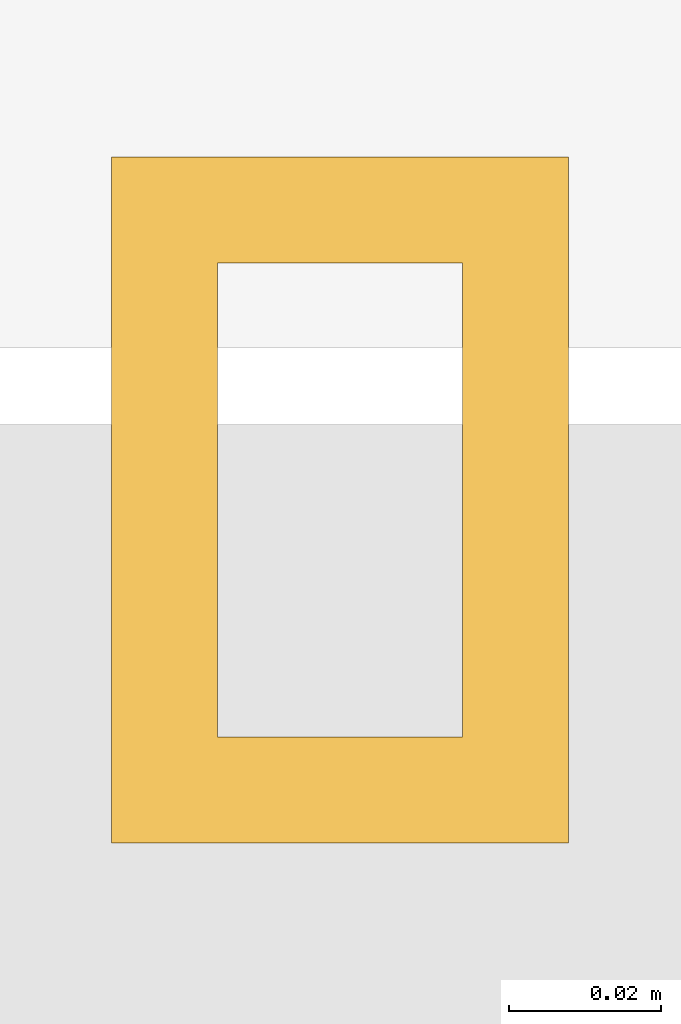
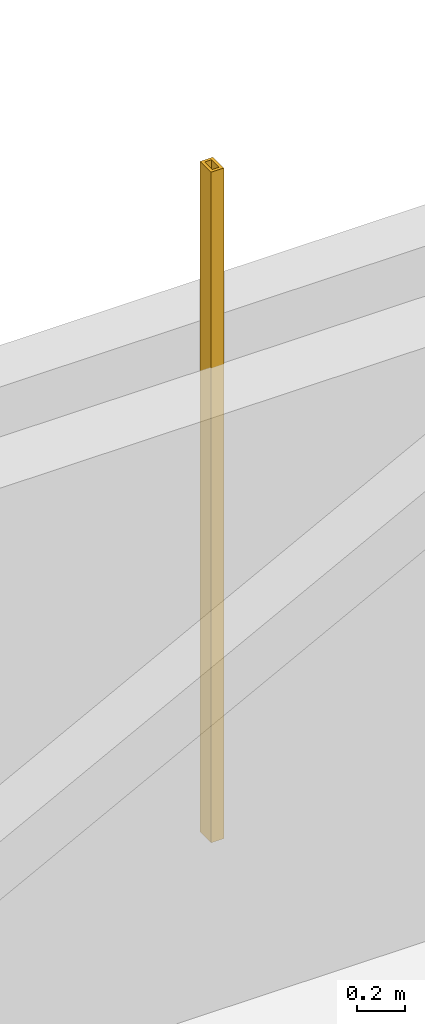
# One storey, part 28 of 28: 1 shading device.
"""IFC4 building model written with IfcOpenShell, lengths in metres."""

from ifc_helpers import new_model, si_unit, direction, frame, origin, origin_2d, place, context, subcontext, project, spatial, hollow_rectangle, extrude, material, material_profile, profile_set, type_object, element, save


model = new_model("IFC4")

# Units and contexts
model_context = context("Model", 3, precision=1e-05, world=origin(), true_north=direction((0.0, 1.0)))
body_context = subcontext(model_context, "Body", "Model", "MODEL_VIEW")
ifc_project = project(units=[si_unit("LENGTHUNIT", "METRE"), si_unit("AREAUNIT", "SQUARE_METRE"), si_unit("VOLUMEUNIT", "CUBIC_METRE"), si_unit("PLANEANGLEUNIT", "RADIAN"), si_unit("MASSUNIT", "GRAM", prefix="KILO")], contexts=[model_context])

# Site, building, storey
site_placement = place(None, origin())
site = spatial("IfcSite", under=ifc_project, at=site_placement, CompositionType="ELEMENT")
building_placement = place(site_placement, origin())
building = spatial("IfcBuilding", under=site, at=building_placement, Name="Punatoya Terracotta Tower", CompositionType="ELEMENT")
storey_placement = place(building_placement, frame((0.0, 0.0, 352.800048828125)))
storey = spatial("IfcBuildingStorey", under=building, at=storey_placement, Name="L83", CompositionType="ELEMENT", Elevation=352.800048828125)

# Shading device
ifc_material = material(Name="Architectural Fired Terracotta", Category="masonry")
ifc_material_profile = material_profile(ifc_material, hollow_rectangle(XDim=0.06005859375, YDim=0.090087890625, WallThickness=0.013916015625, at=origin_2d()))
ifc_profile_set = profile_set([ifc_material_profile], Name="Architectural Fired Terracotta")
shading_device_type = type_object("IfcShadingDeviceType", Name="SHD-JALI-90", PredefinedType="JALOUSIE", material=ifc_profile_set)
shading_device_placement = place(storey_placement, frame((0.0, 15.800048828125, 0.599853515625), z_axis=(0.0, 0.0, 1.0), x_axis=(1.0, 0.0, 0.0)))
element("IfcShadingDevice", 1, at=shading_device_placement, inside=storey, type_object=shading_device_type, Name="L83 Braced Bay Terracotta Jali Fin N1", PredefinedType="JALOUSIE", context=body_context, shape_type="SweptSolid", body=[
    extrude(hollow_rectangle(XDim=0.06005859375, YDim=0.090087890625, WallThickness=0.013916015625, at=origin_2d()), origin(), (0.0, 0.0, 1.0), 3.380126953125),
])

save(model, "model.ifc")
